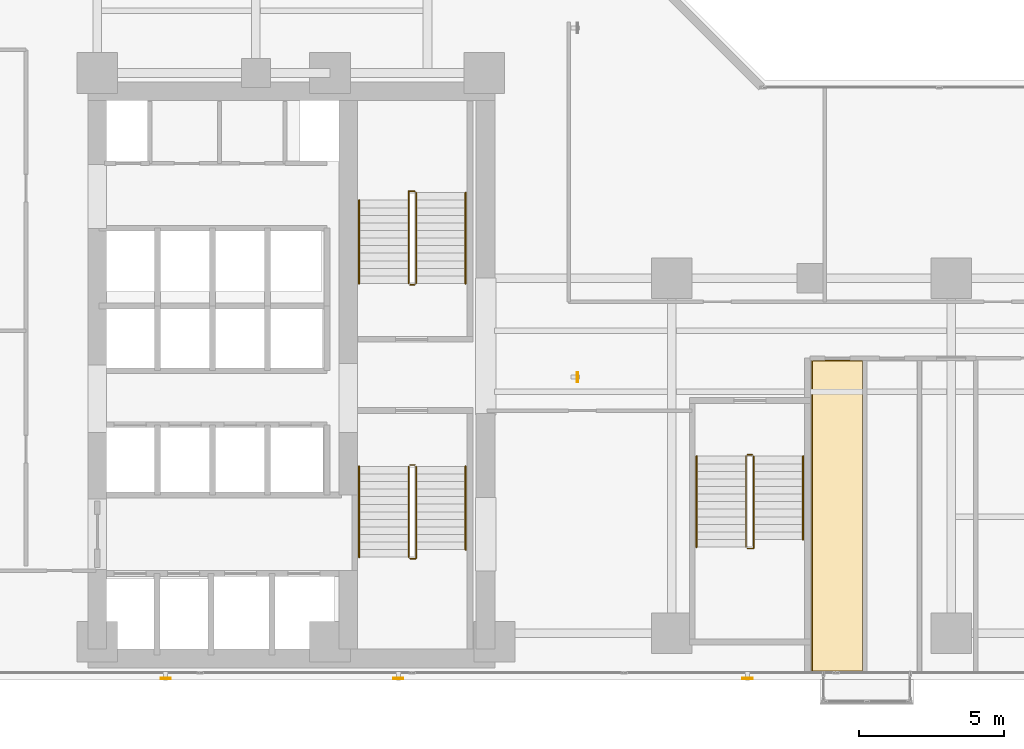
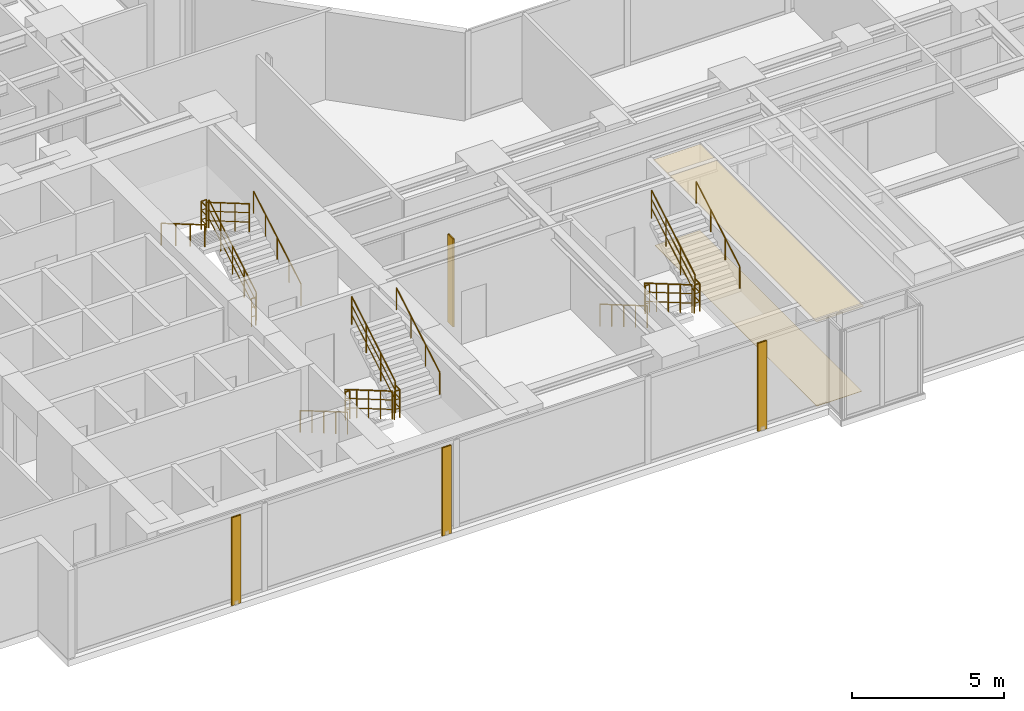
# One storey, part 24 of 26: 18 railings, 4 shading devices, 2 coverings.
"""IFC4 building model written with IfcOpenShell, lengths in metres."""

from ifc_helpers import new_model, si_unit, direction, frame, origin, origin_2d, place, context, subcontext, project, spatial, polyline, hollow_rectangle, circle, outline, extrude, material, layer, layer_set, material_profile, profile_set, type_object, element, save


model = new_model("IFC4")

# Units and contexts
model_context = context("Model", 3, precision=1e-05, world=origin(), true_north=direction((0.0, 1.0)))
body_context = subcontext(model_context, "Body", "Model", "MODEL_VIEW")
ifc_project = project(units=[si_unit("LENGTHUNIT", "METRE"), si_unit("AREAUNIT", "SQUARE_METRE"), si_unit("VOLUMEUNIT", "CUBIC_METRE"), si_unit("PLANEANGLEUNIT", "RADIAN"), si_unit("MASSUNIT", "GRAM", prefix="KILO")], contexts=[model_context])

# Site, building, storey
site_placement = place(None, origin())
site = spatial("IfcSite", under=ifc_project, at=site_placement, CompositionType="ELEMENT")
building_placement = place(site_placement, origin())
building = spatial("IfcBuilding", under=site, at=building_placement, Name="Kolvaren Waterfront Exchange", CompositionType="ELEMENT")
storey_placement = place(building_placement, frame((0.0, 0.0, 99.300048828125)))
storey = spatial("IfcBuildingStorey", under=building, at=storey_placement, Name="L25", CompositionType="ELEMENT", Elevation=99.300048828125)

# Covering
ifc_material_1 = material(Name="Mineral fibre acoustic ceiling tile")
ifc_layer_1 = layer(ifc_material_1, 0.02490234375, Name="Mineral fibre acoustic ceiling tile")
ifc_layer_set_1 = layer_set([ifc_layer_1], Name="Mineral fibre acoustic ceiling tile")
covering_type_1 = type_object("IfcCoveringType", Name="ARC-CEIL-ACOUSTIC-25", PredefinedType="CEILING", material=ifc_layer_set_1)
covering_1_placement = place(storey_placement, frame((0.0, 0.0, 3.425048828125)))
element("IfcCovering", 1, at=covering_1_placement, inside=storey, type_object=covering_type_1, Name="L25 acoustic suspended ceiling 1", PredefinedType="CEILING", context=body_context, shape_type="SweptSolid", body=[
    extrude(outline(polyline([(33.784912109375, 3.864990234375), (33.784912109375, 14.594970703125), (31.9951171875, 14.594970703125), (31.9951171875, 13.35009765625), (32.0, 13.35009765625), (32.0, 4.800048828125), (31.9951171875, 4.800048828125), (31.9951171875, 3.864990234375), (33.784912109375, 3.864990234375)])), origin(), (0.0, 0.0, 1.0), 0.02490234375),
])

# Shading devices
ifc_material_2 = material(Name="Anodised bronze aluminium 6063-T6", Category="aluminium")
ifc_material_profile = material_profile(ifc_material_2, hollow_rectangle(XDim=0.06005859375, YDim=0.35009765625, WallThickness=0.0048828125, at=origin_2d()), Name="BRZ-FIN-350x60x5")
ifc_profile_set = profile_set([ifc_material_profile], Name="Anodised bronze aluminium 6063-T6")
shading_device_type = type_object("IfcShadingDeviceType", Name="ARC-FIN-350", PredefinedType="USERDEFINED", material=ifc_profile_set)
for number, where, z_axis, x_axis, name in (
    (2, (9.800048828125, 3.639892578125, 0.0), (0.0, 0.0, 1.0), (0.0, -1.0, 0.0), "L25 anodised bronze solar shading fin FIN-L25-S1"),
    (3, (17.800048828125, 3.639892578125, 0.0), (0.0, 0.0, 1.0), (0.0, -1.0, 0.0), "L25 anodised bronze solar shading fin FIN-L25-S2"),
    (4, (29.800048828125, 3.639892578125, 0.0), (0.0, 0.0, 1.0), (0.0, -1.0, 0.0), "L25 anodised bronze solar shading fin FIN-L25-S3"),
    (5, (23.9599609375, 14.0, 0.0), (0.0, 0.0, 1.0), (1.0, 0.0, 0.0), "L25 anodised bronze solar shading fin FIN-L25-E1"),
):
    element("IfcShadingDevice", number, at=place(storey_placement, frame(where, z_axis=z_axis, x_axis=x_axis)), inside=storey, type_object=shading_device_type, Name=name, ObjectType="SOLAR FIN", PredefinedType="USERDEFINED", context=body_context, shape_type="SweptSolid", body=[
        extrude(hollow_rectangle(XDim=0.06005859375, YDim=0.35009765625, WallThickness=0.0048828125, at=origin_2d()), origin(), (0.0, 0.0, 1.0), 3.5400390625),
    ])

# Covering
ifc_material_3 = material(Name="Slip-resistant porcelain tile")
ifc_layer_2 = layer(ifc_material_3, 0.014892578125, Name="Slip-resistant porcelain tile")
ifc_layer_set_2 = layer_set([ifc_layer_2], Name="Slip-resistant porcelain tile")
covering_type_2 = type_object("IfcCoveringType", Name="ARC-FLR-PORC-15", PredefinedType="FLOORING", material=ifc_layer_set_2)
covering_2_placement = place(storey_placement, origin())
element("IfcCovering", 6, at=covering_2_placement, inside=storey, type_object=covering_type_2, Name="L25 floor finish 1", PredefinedType="FLOORING", context=body_context, shape_type="SweptSolid", body=[
    extrude(outline(polyline([(32.030029296875, 14.56005859375), (32.030029296875, 3.89990234375), (33.75, 3.89990234375), (33.75, 14.56005859375), (32.030029296875, 14.56005859375)])), origin(), (0.0, 0.0, 1.0), 0.014892578125),
])

# Railings
ifc_material_4 = material(Name="Stainless steel 316", Category="steel")
railing_type_1 = type_object("IfcRailingType", Name="ARC-GUARD-STAIR", PredefinedType="GUARDRAIL", material=ifc_material_4)
railing_1_placement = place(storey_placement, frame((18.14990234375, 10.929931640625, 0.15185546875)))
element("IfcRailing", 7, at=railing_1_placement, inside=storey, type_object=railing_type_1, Name="L25 ST1 stair guard 1", PredefinedType="GUARDRAIL", context=body_context, shape_type="SweptSolid", body=[
    extrude(circle(Radius=0.02392578125, at=origin_2d()), frame((0.0, 0.0, 1.1259765625), z_axis=(0.0, -0.86329090724, 0.504706656858), x_axis=(1.0, 0.0, 0.0)), (0.0, 0.0, 1.0), 3.614013671875),
    extrude(circle(Radius=0.01611328125, at=origin_2d()), frame((0.0, 0.0, 0.390869140625), z_axis=(0.0, -0.86329090724, 0.504706656858), x_axis=(1.0, 0.0, 0.0)), (0.0, 0.0, 1.0), 3.614013671875),
    extrude(circle(Radius=0.01611328125, at=origin_2d()), frame((0.0, 0.0, 0.7705078125), z_axis=(0.0, -0.86329090724, 0.504706656858), x_axis=(1.0, 0.0, 0.0)), (0.0, 0.0, 1.0), 3.614013671875),
    extrude(circle(Radius=0.02099609375, at=origin_2d()), origin(), (0.0, 0.0, 1.0), 1.101806640625),
    extrude(circle(Radius=0.02099609375, at=origin_2d()), frame((0.0, -0.780029296875, 0.4560546875)), (0.0, 0.0, 1.0), 1.101806640625),
    extrude(circle(Radius=0.02099609375, at=origin_2d()), frame((0.0, -1.56005859375, 0.912109375)), (0.0, 0.0, 1.0), 1.101806640625),
    extrude(circle(Radius=0.02099609375, at=origin_2d()), frame((0.0, -2.33984375, 1.367919921875)), (0.0, 0.0, 1.0), 1.101806640625),
    extrude(circle(Radius=0.02099609375, at=origin_2d()), frame((0.0, -3.119873046875, 1.823974609375)), (0.0, 0.0, 1.0), 1.101806640625),
])
railing_2_placement = place(storey_placement, frame((18.199951171875, 7.760009765625, 1.975830078125)))
element("IfcRailing", 8, at=railing_2_placement, inside=storey, type_object=railing_type_1, Name="L25 ST1 stair guard 2", PredefinedType="GUARDRAIL", context=body_context, shape_type="SweptSolid", body=[
    extrude(circle(Radius=0.02392578125, at=origin_2d()), frame((0.0, 0.0, 1.1259765625), z_axis=(1.0, 0.0, 0.0), x_axis=(0.0, 1.0, 0.0)), (0.0, 0.0, 1.0), 0.2099609375),
    extrude(circle(Radius=0.01611328125, at=origin_2d()), frame((0.0, 0.0, 0.390869140625), z_axis=(1.0, 0.0, 0.0), x_axis=(0.0, 1.0, 0.0)), (0.0, 0.0, 1.0), 0.2099609375),
    extrude(circle(Radius=0.01611328125, at=origin_2d()), frame((0.0, 0.0, 0.7705078125), z_axis=(1.0, 0.0, 0.0), x_axis=(0.0, 1.0, 0.0)), (0.0, 0.0, 1.0), 0.2099609375),
    extrude(circle(Radius=0.02392578125, at=origin_2d()), frame((0.2099609375, 0.0, 1.1259765625), z_axis=(0.0, 1.0, 0.0), x_axis=(-1.0, 0.0, 0.0)), (0.0, 0.0, 1.0), 0.31005859375),
    extrude(circle(Radius=0.01611328125, at=origin_2d()), frame((0.2099609375, 0.0, 0.390869140625), z_axis=(0.0, 1.0, 0.0), x_axis=(-1.0, 0.0, 0.0)), (0.0, 0.0, 1.0), 0.31005859375),
    extrude(circle(Radius=0.01611328125, at=origin_2d()), frame((0.2099609375, 0.0, 0.7705078125), z_axis=(0.0, 1.0, 0.0), x_axis=(-1.0, 0.0, 0.0)), (0.0, 0.0, 1.0), 0.31005859375),
    extrude(circle(Radius=0.02099609375, at=origin_2d()), origin(), (0.0, 0.0, 1.0), 1.101806640625),
    extrude(circle(Radius=0.02099609375, at=origin_2d()), frame((0.2099609375, 0.0, 0.0)), (0.0, 0.0, 1.0), 1.101806640625),
    extrude(circle(Radius=0.02099609375, at=origin_2d()), frame((0.2099609375, 0.31005859375, 0.0)), (0.0, 0.0, 1.0), 1.101806640625),
])
railing_3_placement = place(storey_placement, frame((18.409912109375, 8.070068359375, 2.1279296875)))
element("IfcRailing", 9, at=railing_3_placement, inside=storey, type_object=railing_type_1, Name="L25 ST1 stair guard 3", PredefinedType="GUARDRAIL", context=body_context, shape_type="SweptSolid", body=[
    extrude(circle(Radius=0.02392578125, at=origin_2d()), frame((0.0, 0.0, 1.1259765625), z_axis=(0.0, 0.863270611444, 0.50474137082), x_axis=(-1.0, 0.0, 0.0)), (0.0, 0.0, 1.0), 3.312744140625),
    extrude(circle(Radius=0.01611328125, at=origin_2d()), frame((0.0, 0.0, 0.390869140625), z_axis=(0.0, 0.863270611444, 0.50474137082), x_axis=(-1.0, 0.0, 0.0)), (0.0, 0.0, 1.0), 3.312744140625),
    extrude(circle(Radius=0.01611328125, at=origin_2d()), frame((0.0, 0.0, 0.7705078125), z_axis=(0.0, 0.863270611444, 0.50474137082), x_axis=(-1.0, 0.0, 0.0)), (0.0, 0.0, 1.0), 3.312744140625),
    extrude(circle(Radius=0.02099609375, at=origin_2d()), origin(), (0.0, 0.0, 1.0), 1.101806640625),
    extrude(circle(Radius=0.02099609375, at=origin_2d()), frame((0.0, 0.953369140625, 0.557373046875)), (0.0, 0.0, 1.0), 1.101806640625),
    extrude(circle(Radius=0.02099609375, at=origin_2d()), frame((0.0, 1.906494140625, 1.11474609375)), (0.0, 0.0, 1.0), 1.101806640625),
    extrude(circle(Radius=0.02099609375, at=origin_2d()), frame((0.0, 2.85986328125, 1.672119140625)), (0.0, 0.0, 1.0), 1.101806640625),
])
railing_4_placement = place(storey_placement, frame((18.199951171875, 10.97998046875, 0.0)))
element("IfcRailing", 10, at=railing_4_placement, inside=storey, type_object=railing_type_1, Name="L25 ST1 stair guard 4", PredefinedType="GUARDRAIL", context=body_context, shape_type="SweptSolid", body=[
    extrude(circle(Radius=0.02392578125, at=origin_2d()), frame((0.0, 0.0, 1.1259765625), z_axis=(1.0, 0.0, 0.0), x_axis=(0.0, 1.0, 0.0)), (0.0, 0.0, 1.0), 0.16015625),
    extrude(circle(Radius=0.01611328125, at=origin_2d()), frame((0.0, 0.0, 0.390869140625), z_axis=(1.0, 0.0, 0.0), x_axis=(0.0, 1.0, 0.0)), (0.0, 0.0, 1.0), 0.16015625),
    extrude(circle(Radius=0.01611328125, at=origin_2d()), frame((0.0, 0.0, 0.7705078125), z_axis=(1.0, 0.0, 0.0), x_axis=(0.0, 1.0, 0.0)), (0.0, 0.0, 1.0), 0.16015625),
    extrude(circle(Radius=0.02099609375, at=origin_2d()), origin(), (0.0, 0.0, 1.0), 1.101806640625),
    extrude(circle(Radius=0.02099609375, at=origin_2d()), frame((0.16015625, 0.0, 0.0)), (0.0, 0.0, 1.0), 1.101806640625),
])
railing_5_placement = place(storey_placement, frame((18.409912109375, 17.219970703125, 0.15185546875)))
element("IfcRailing", 11, at=railing_5_placement, inside=storey, type_object=railing_type_1, Name="L25 ST2 stair guard 1", PredefinedType="GUARDRAIL", context=body_context, shape_type="SweptSolid", body=[
    extrude(circle(Radius=0.02392578125, at=origin_2d()), frame((0.0, 0.0, 1.1259765625), z_axis=(0.0, 0.86330811405, 0.504677223793), x_axis=(-1.0, 0.0, 0.0)), (0.0, 0.0, 1.0), 3.6142578125),
    extrude(circle(Radius=0.01611328125, at=origin_2d()), frame((0.0, 0.0, 0.390869140625), z_axis=(0.0, 0.86330811405, 0.504677223793), x_axis=(-1.0, 0.0, 0.0)), (0.0, 0.0, 1.0), 3.6142578125),
    extrude(circle(Radius=0.01611328125, at=origin_2d()), frame((0.0, 0.0, 0.7705078125), z_axis=(0.0, 0.86330811405, 0.504677223793), x_axis=(-1.0, 0.0, 0.0)), (0.0, 0.0, 1.0), 3.6142578125),
    extrude(circle(Radius=0.02099609375, at=origin_2d()), origin(), (0.0, 0.0, 1.0), 1.101806640625),
    extrude(circle(Radius=0.02099609375, at=origin_2d()), frame((0.0, 0.780029296875, 0.4560546875)), (0.0, 0.0, 1.0), 1.101806640625),
    extrude(circle(Radius=0.02099609375, at=origin_2d()), frame((0.0, 1.56005859375, 0.912109375)), (0.0, 0.0, 1.0), 1.101806640625),
    extrude(circle(Radius=0.02099609375, at=origin_2d()), frame((0.0, 2.340087890625, 1.367919921875)), (0.0, 0.0, 1.0), 1.101806640625),
    extrude(circle(Radius=0.02099609375, at=origin_2d()), frame((0.0, 3.1201171875, 1.823974609375)), (0.0, 0.0, 1.0), 1.101806640625),
])
railing_6_placement = place(storey_placement, frame((18.360107421875, 20.389892578125, 1.975830078125)))
element("IfcRailing", 12, at=railing_6_placement, inside=storey, type_object=railing_type_1, Name="L25 ST2 stair guard 2", PredefinedType="GUARDRAIL", context=body_context, shape_type="SweptSolid", body=[
    extrude(circle(Radius=0.02392578125, at=origin_2d()), frame((0.0, 0.0, 1.1259765625), z_axis=(-1.0, 0.0, 0.0), x_axis=(0.0, -1.0, 0.0)), (0.0, 0.0, 1.0), 0.210205078125),
    extrude(circle(Radius=0.01611328125, at=origin_2d()), frame((0.0, 0.0, 0.390869140625), z_axis=(-1.0, 0.0, 0.0), x_axis=(0.0, -1.0, 0.0)), (0.0, 0.0, 1.0), 0.210205078125),
    extrude(circle(Radius=0.01611328125, at=origin_2d()), frame((0.0, 0.0, 0.7705078125), z_axis=(-1.0, 0.0, 0.0), x_axis=(0.0, -1.0, 0.0)), (0.0, 0.0, 1.0), 0.210205078125),
    extrude(circle(Radius=0.02392578125, at=origin_2d()), frame((-0.210205078125, 0.0, 1.1259765625), z_axis=(0.0, -1.0, 0.0), x_axis=(1.0, 0.0, 0.0)), (0.0, 0.0, 1.0), 0.309814453125),
    extrude(circle(Radius=0.01611328125, at=origin_2d()), frame((-0.210205078125, 0.0, 0.390869140625), z_axis=(0.0, -1.0, 0.0), x_axis=(1.0, 0.0, 0.0)), (0.0, 0.0, 1.0), 0.309814453125),
    extrude(circle(Radius=0.01611328125, at=origin_2d()), frame((-0.210205078125, 0.0, 0.7705078125), z_axis=(0.0, -1.0, 0.0), x_axis=(1.0, 0.0, 0.0)), (0.0, 0.0, 1.0), 0.309814453125),
    extrude(circle(Radius=0.02099609375, at=origin_2d()), origin(), (0.0, 0.0, 1.0), 1.101806640625),
    extrude(circle(Radius=0.02099609375, at=origin_2d()), frame((-0.210205078125, 0.0, 0.0)), (0.0, 0.0, 1.0), 1.101806640625),
    extrude(circle(Radius=0.02099609375, at=origin_2d()), frame((-0.210205078125, -0.309814453125, 0.0)), (0.0, 0.0, 1.0), 1.101806640625),
])
railing_7_placement = place(storey_placement, frame((18.14990234375, 20.080078125, 2.1279296875)))
element("IfcRailing", 13, at=railing_7_placement, inside=storey, type_object=railing_type_1, Name="L25 ST2 stair guard 3", PredefinedType="GUARDRAIL", context=body_context, shape_type="SweptSolid", body=[
    extrude(circle(Radius=0.02392578125, at=origin_2d()), frame((0.0, 0.0, 1.1259765625), z_axis=(0.0, -0.863289384635, 0.504709261235), x_axis=(1.0, 0.0, 0.0)), (0.0, 0.0, 1.0), 3.31298828125),
    extrude(circle(Radius=0.01611328125, at=origin_2d()), frame((0.0, 0.0, 0.390869140625), z_axis=(0.0, -0.863289384635, 0.504709261235), x_axis=(1.0, 0.0, 0.0)), (0.0, 0.0, 1.0), 3.31298828125),
    extrude(circle(Radius=0.01611328125, at=origin_2d()), frame((0.0, 0.0, 0.7705078125), z_axis=(0.0, -0.863289384635, 0.504709261235), x_axis=(1.0, 0.0, 0.0)), (0.0, 0.0, 1.0), 3.31298828125),
    extrude(circle(Radius=0.02099609375, at=origin_2d()), origin(), (0.0, 0.0, 1.0), 1.101806640625),
    extrude(circle(Radius=0.02099609375, at=origin_2d()), frame((0.0, -0.953369140625, 0.557373046875)), (0.0, 0.0, 1.0), 1.101806640625),
    extrude(circle(Radius=0.02099609375, at=origin_2d()), frame((0.0, -1.90673828125, 1.11474609375)), (0.0, 0.0, 1.0), 1.101806640625),
    extrude(circle(Radius=0.02099609375, at=origin_2d()), frame((0.0, -2.860107421875, 1.672119140625)), (0.0, 0.0, 1.0), 1.101806640625),
])
railing_8_placement = place(storey_placement, frame((18.360107421875, 17.169921875, 0.0)))
element("IfcRailing", 14, at=railing_8_placement, inside=storey, type_object=railing_type_1, Name="L25 ST2 stair guard 4", PredefinedType="GUARDRAIL", context=body_context, shape_type="SweptSolid", body=[
    extrude(circle(Radius=0.02392578125, at=origin_2d()), frame((0.0, 0.0, 1.1259765625), z_axis=(-1.0, 0.0, 0.0), x_axis=(0.0, -1.0, 0.0)), (0.0, 0.0, 1.0), 0.16015625),
    extrude(circle(Radius=0.01611328125, at=origin_2d()), frame((0.0, 0.0, 0.390869140625), z_axis=(-1.0, 0.0, 0.0), x_axis=(0.0, -1.0, 0.0)), (0.0, 0.0, 1.0), 0.16015625),
    extrude(circle(Radius=0.01611328125, at=origin_2d()), frame((0.0, 0.0, 0.7705078125), z_axis=(-1.0, 0.0, 0.0), x_axis=(0.0, -1.0, 0.0)), (0.0, 0.0, 1.0), 0.16015625),
    extrude(circle(Radius=0.02099609375, at=origin_2d()), origin(), (0.0, 0.0, 1.0), 1.101806640625),
    extrude(circle(Radius=0.02099609375, at=origin_2d()), frame((-0.16015625, 0.0, 0.0)), (0.0, 0.0, 1.0), 1.101806640625),
])
railing_9_placement = place(storey_placement, frame((29.75, 11.280029296875, 0.15185546875)))
element("IfcRailing", 15, at=railing_9_placement, inside=storey, type_object=railing_type_1, Name="L25 ST3 stair guard 1", PredefinedType="GUARDRAIL", context=body_context, shape_type="SweptSolid", body=[
    extrude(circle(Radius=0.02392578125, at=origin_2d()), frame((0.0, 0.0, 1.1259765625), z_axis=(0.0, -0.86330811405, 0.504677223793), x_axis=(1.0, 0.0, 0.0)), (0.0, 0.0, 1.0), 3.6142578125),
    extrude(circle(Radius=0.01611328125, at=origin_2d()), frame((0.0, 0.0, 0.390869140625), z_axis=(0.0, -0.86330811405, 0.504677223793), x_axis=(1.0, 0.0, 0.0)), (0.0, 0.0, 1.0), 3.6142578125),
    extrude(circle(Radius=0.01611328125, at=origin_2d()), frame((0.0, 0.0, 0.7705078125), z_axis=(0.0, -0.86330811405, 0.504677223793), x_axis=(1.0, 0.0, 0.0)), (0.0, 0.0, 1.0), 3.6142578125),
    extrude(circle(Radius=0.02099609375, at=origin_2d()), origin(), (0.0, 0.0, 1.0), 1.101806640625),
    extrude(circle(Radius=0.02099609375, at=origin_2d()), frame((0.0, -0.780029296875, 0.4560546875)), (0.0, 0.0, 1.0), 1.101806640625),
    extrude(circle(Radius=0.02099609375, at=origin_2d()), frame((0.0, -1.56005859375, 0.912109375)), (0.0, 0.0, 1.0), 1.101806640625),
    extrude(circle(Radius=0.02099609375, at=origin_2d()), frame((0.0, -2.340087890625, 1.367919921875)), (0.0, 0.0, 1.0), 1.101806640625),
    extrude(circle(Radius=0.02099609375, at=origin_2d()), frame((0.0, -3.1201171875, 1.823974609375)), (0.0, 0.0, 1.0), 1.101806640625),
])
railing_10_placement = place(storey_placement, frame((29.800048828125, 8.110107421875, 1.975830078125)))
element("IfcRailing", 16, at=railing_10_placement, inside=storey, type_object=railing_type_1, Name="L25 ST3 stair guard 2", PredefinedType="GUARDRAIL", context=body_context, shape_type="SweptSolid", body=[
    extrude(circle(Radius=0.02392578125, at=origin_2d()), frame((0.0, 0.0, 1.1259765625), z_axis=(1.0, 0.0, 0.0), x_axis=(0.0, 1.0, 0.0)), (0.0, 0.0, 1.0), 0.2099609375),
    extrude(circle(Radius=0.01611328125, at=origin_2d()), frame((0.0, 0.0, 0.390869140625), z_axis=(1.0, 0.0, 0.0), x_axis=(0.0, 1.0, 0.0)), (0.0, 0.0, 1.0), 0.2099609375),
    extrude(circle(Radius=0.01611328125, at=origin_2d()), frame((0.0, 0.0, 0.7705078125), z_axis=(1.0, 0.0, 0.0), x_axis=(0.0, 1.0, 0.0)), (0.0, 0.0, 1.0), 0.2099609375),
    extrude(circle(Radius=0.02392578125, at=origin_2d()), frame((0.2099609375, 0.0, 1.1259765625), z_axis=(0.0, 1.0, 0.0), x_axis=(-1.0, 0.0, 0.0)), (0.0, 0.0, 1.0), 0.309814453125),
    extrude(circle(Radius=0.01611328125, at=origin_2d()), frame((0.2099609375, 0.0, 0.390869140625), z_axis=(0.0, 1.0, 0.0), x_axis=(-1.0, 0.0, 0.0)), (0.0, 0.0, 1.0), 0.309814453125),
    extrude(circle(Radius=0.01611328125, at=origin_2d()), frame((0.2099609375, 0.0, 0.7705078125), z_axis=(0.0, 1.0, 0.0), x_axis=(-1.0, 0.0, 0.0)), (0.0, 0.0, 1.0), 0.309814453125),
    extrude(circle(Radius=0.02099609375, at=origin_2d()), origin(), (0.0, 0.0, 1.0), 1.101806640625),
    extrude(circle(Radius=0.02099609375, at=origin_2d()), frame((0.2099609375, 0.0, 0.0)), (0.0, 0.0, 1.0), 1.101806640625),
    extrude(circle(Radius=0.02099609375, at=origin_2d()), frame((0.2099609375, 0.309814453125, 0.0)), (0.0, 0.0, 1.0), 1.101806640625),
])
railing_11_placement = place(storey_placement, frame((30.010009765625, 8.419921875, 2.1279296875)))
element("IfcRailing", 17, at=railing_11_placement, inside=storey, type_object=railing_type_1, Name="L25 ST3 stair guard 3", PredefinedType="GUARDRAIL", context=body_context, shape_type="SweptSolid", body=[
    extrude(circle(Radius=0.02392578125, at=origin_2d()), frame((0.0, 0.0, 1.1259765625), z_axis=(0.0, 0.863289384635, 0.504709261235), x_axis=(-1.0, 0.0, 0.0)), (0.0, 0.0, 1.0), 3.31298828125),
    extrude(circle(Radius=0.01611328125, at=origin_2d()), frame((0.0, 0.0, 0.390869140625), z_axis=(0.0, 0.863289384635, 0.504709261235), x_axis=(-1.0, 0.0, 0.0)), (0.0, 0.0, 1.0), 3.31298828125),
    extrude(circle(Radius=0.01611328125, at=origin_2d()), frame((0.0, 0.0, 0.7705078125), z_axis=(0.0, 0.863289384635, 0.504709261235), x_axis=(-1.0, 0.0, 0.0)), (0.0, 0.0, 1.0), 3.31298828125),
    extrude(circle(Radius=0.02099609375, at=origin_2d()), origin(), (0.0, 0.0, 1.0), 1.101806640625),
    extrude(circle(Radius=0.02099609375, at=origin_2d()), frame((0.0, 0.953369140625, 0.557373046875)), (0.0, 0.0, 1.0), 1.101806640625),
    extrude(circle(Radius=0.02099609375, at=origin_2d()), frame((0.0, 1.90673828125, 1.11474609375)), (0.0, 0.0, 1.0), 1.101806640625),
    extrude(circle(Radius=0.02099609375, at=origin_2d()), frame((0.0, 2.860107421875, 1.672119140625)), (0.0, 0.0, 1.0), 1.101806640625),
])
railing_12_placement = place(storey_placement, frame((29.800048828125, 11.330078125, 0.0)))
element("IfcRailing", 18, at=railing_12_placement, inside=storey, type_object=railing_type_1, Name="L25 ST3 stair guard 4", PredefinedType="GUARDRAIL", context=body_context, shape_type="SweptSolid", body=[
    extrude(circle(Radius=0.02392578125, at=origin_2d()), frame((0.0, 0.0, 1.1259765625), z_axis=(1.0, 0.0, 0.0), x_axis=(0.0, 1.0, 0.0)), (0.0, 0.0, 1.0), 0.159912109375),
    extrude(circle(Radius=0.01611328125, at=origin_2d()), frame((0.0, 0.0, 0.390869140625), z_axis=(1.0, 0.0, 0.0), x_axis=(0.0, 1.0, 0.0)), (0.0, 0.0, 1.0), 0.159912109375),
    extrude(circle(Radius=0.01611328125, at=origin_2d()), frame((0.0, 0.0, 0.7705078125), z_axis=(1.0, 0.0, 0.0), x_axis=(0.0, 1.0, 0.0)), (0.0, 0.0, 1.0), 0.159912109375),
    extrude(circle(Radius=0.02099609375, at=origin_2d()), origin(), (0.0, 0.0, 1.0), 1.101806640625),
    extrude(circle(Radius=0.02099609375, at=origin_2d()), frame((0.159912109375, 0.0, 0.0)), (0.0, 0.0, 1.0), 1.101806640625),
])
railing_type_2 = type_object("IfcRailingType", Name="ARC-HANDRAIL-900", PredefinedType="HANDRAIL", material=ifc_material_4)
railing_13_placement = place(storey_placement, frame((16.449951171875, 10.929931640625, 0.15185546875)))
element("IfcRailing", 19, at=railing_13_placement, inside=storey, type_object=railing_type_2, Name="L25 ST1 stair handrail 1", PredefinedType="HANDRAIL", context=body_context, shape_type="SweptSolid", body=[
    extrude(circle(Radius=0.02392578125, at=origin_2d()), frame((0.0, 0.0, 0.8759765625), z_axis=(0.0, -0.86329090724, 0.504706656858), x_axis=(1.0, 0.0, 0.0)), (0.0, 0.0, 1.0), 3.614013671875),
    extrude(circle(Radius=0.02099609375, at=origin_2d()), origin(), (0.0, 0.0, 1.0), 0.851806640625),
    extrude(circle(Radius=0.02099609375, at=origin_2d()), frame((0.0, -0.780029296875, 0.4560546875)), (0.0, 0.0, 1.0), 0.851806640625),
    extrude(circle(Radius=0.02099609375, at=origin_2d()), frame((0.0, -1.56005859375, 0.912109375)), (0.0, 0.0, 1.0), 0.851806640625),
    extrude(circle(Radius=0.02099609375, at=origin_2d()), frame((0.0, -2.33984375, 1.367919921875)), (0.0, 0.0, 1.0), 0.851806640625),
    extrude(circle(Radius=0.02099609375, at=origin_2d()), frame((0.0, -3.119873046875, 1.823974609375)), (0.0, 0.0, 1.0), 0.851806640625),
])
railing_14_placement = place(storey_placement, frame((20.110107421875, 8.070068359375, 2.1279296875)))
element("IfcRailing", 20, at=railing_14_placement, inside=storey, type_object=railing_type_2, Name="L25 ST1 stair handrail 2", PredefinedType="HANDRAIL", context=body_context, shape_type="SweptSolid", body=[
    extrude(circle(Radius=0.02392578125, at=origin_2d()), frame((0.0, 0.0, 0.8759765625), z_axis=(0.0, 0.863270611444, 0.50474137082), x_axis=(-1.0, 0.0, 0.0)), (0.0, 0.0, 1.0), 3.312744140625),
    extrude(circle(Radius=0.02099609375, at=origin_2d()), origin(), (0.0, 0.0, 1.0), 0.851806640625),
    extrude(circle(Radius=0.02099609375, at=origin_2d()), frame((0.0, 0.953369140625, 0.557373046875)), (0.0, 0.0, 1.0), 0.851806640625),
    extrude(circle(Radius=0.02099609375, at=origin_2d()), frame((0.0, 1.906494140625, 1.11474609375)), (0.0, 0.0, 1.0), 0.851806640625),
    extrude(circle(Radius=0.02099609375, at=origin_2d()), frame((0.0, 2.85986328125, 1.672119140625)), (0.0, 0.0, 1.0), 0.851806640625),
])
railing_15_placement = place(storey_placement, frame((20.110107421875, 17.219970703125, 0.15185546875)))
element("IfcRailing", 21, at=railing_15_placement, inside=storey, type_object=railing_type_2, Name="L25 ST2 stair handrail 1", PredefinedType="HANDRAIL", context=body_context, shape_type="SweptSolid", body=[
    extrude(circle(Radius=0.02392578125, at=origin_2d()), frame((0.0, 0.0, 0.8759765625), z_axis=(0.0, 0.86330811405, 0.504677223793), x_axis=(-1.0, 0.0, 0.0)), (0.0, 0.0, 1.0), 3.6142578125),
    extrude(circle(Radius=0.02099609375, at=origin_2d()), origin(), (0.0, 0.0, 1.0), 0.851806640625),
    extrude(circle(Radius=0.02099609375, at=origin_2d()), frame((0.0, 0.780029296875, 0.4560546875)), (0.0, 0.0, 1.0), 0.851806640625),
    extrude(circle(Radius=0.02099609375, at=origin_2d()), frame((0.0, 1.56005859375, 0.912109375)), (0.0, 0.0, 1.0), 0.851806640625),
    extrude(circle(Radius=0.02099609375, at=origin_2d()), frame((0.0, 2.340087890625, 1.367919921875)), (0.0, 0.0, 1.0), 0.851806640625),
    extrude(circle(Radius=0.02099609375, at=origin_2d()), frame((0.0, 3.1201171875, 1.823974609375)), (0.0, 0.0, 1.0), 0.851806640625),
])
railing_16_placement = place(storey_placement, frame((16.449951171875, 20.080078125, 2.1279296875)))
element("IfcRailing", 22, at=railing_16_placement, inside=storey, type_object=railing_type_2, Name="L25 ST2 stair handrail 2", PredefinedType="HANDRAIL", context=body_context, shape_type="SweptSolid", body=[
    extrude(circle(Radius=0.02392578125, at=origin_2d()), frame((0.0, 0.0, 0.8759765625), z_axis=(0.0, -0.863289384635, 0.504709261235), x_axis=(1.0, 0.0, 0.0)), (0.0, 0.0, 1.0), 3.31298828125),
    extrude(circle(Radius=0.02099609375, at=origin_2d()), origin(), (0.0, 0.0, 1.0), 0.851806640625),
    extrude(circle(Radius=0.02099609375, at=origin_2d()), frame((0.0, -0.953369140625, 0.557373046875)), (0.0, 0.0, 1.0), 0.851806640625),
    extrude(circle(Radius=0.02099609375, at=origin_2d()), frame((0.0, -1.90673828125, 1.11474609375)), (0.0, 0.0, 1.0), 0.851806640625),
    extrude(circle(Radius=0.02099609375, at=origin_2d()), frame((0.0, -2.860107421875, 1.672119140625)), (0.0, 0.0, 1.0), 0.851806640625),
])
railing_17_placement = place(storey_placement, frame((28.050048828125, 11.280029296875, 0.15185546875)))
element("IfcRailing", 23, at=railing_17_placement, inside=storey, type_object=railing_type_2, Name="L25 ST3 stair handrail 1", PredefinedType="HANDRAIL", context=body_context, shape_type="SweptSolid", body=[
    extrude(circle(Radius=0.02392578125, at=origin_2d()), frame((0.0, 0.0, 0.8759765625), z_axis=(0.0, -0.86330811405, 0.504677223793), x_axis=(1.0, 0.0, 0.0)), (0.0, 0.0, 1.0), 3.6142578125),
    extrude(circle(Radius=0.02099609375, at=origin_2d()), origin(), (0.0, 0.0, 1.0), 0.851806640625),
    extrude(circle(Radius=0.02099609375, at=origin_2d()), frame((0.0, -0.780029296875, 0.4560546875)), (0.0, 0.0, 1.0), 0.851806640625),
    extrude(circle(Radius=0.02099609375, at=origin_2d()), frame((0.0, -1.56005859375, 0.912109375)), (0.0, 0.0, 1.0), 0.851806640625),
    extrude(circle(Radius=0.02099609375, at=origin_2d()), frame((0.0, -2.340087890625, 1.367919921875)), (0.0, 0.0, 1.0), 0.851806640625),
    extrude(circle(Radius=0.02099609375, at=origin_2d()), frame((0.0, -3.1201171875, 1.823974609375)), (0.0, 0.0, 1.0), 0.851806640625),
])
railing_18_placement = place(storey_placement, frame((31.7099609375, 8.419921875, 2.1279296875)))
element("IfcRailing", 24, at=railing_18_placement, inside=storey, type_object=railing_type_2, Name="L25 ST3 stair handrail 2", PredefinedType="HANDRAIL", context=body_context, shape_type="SweptSolid", body=[
    extrude(circle(Radius=0.02392578125, at=origin_2d()), frame((0.0, 0.0, 0.8759765625), z_axis=(0.0, 0.863289384635, 0.504709261235), x_axis=(-1.0, 0.0, 0.0)), (0.0, 0.0, 1.0), 3.31298828125),
    extrude(circle(Radius=0.02099609375, at=origin_2d()), origin(), (0.0, 0.0, 1.0), 0.851806640625),
    extrude(circle(Radius=0.02099609375, at=origin_2d()), frame((0.0, 0.953369140625, 0.557373046875)), (0.0, 0.0, 1.0), 0.851806640625),
    extrude(circle(Radius=0.02099609375, at=origin_2d()), frame((0.0, 1.90673828125, 1.11474609375)), (0.0, 0.0, 1.0), 0.851806640625),
    extrude(circle(Radius=0.02099609375, at=origin_2d()), frame((0.0, 2.860107421875, 1.672119140625)), (0.0, 0.0, 1.0), 0.851806640625),
])

save(model, "model.ifc")
